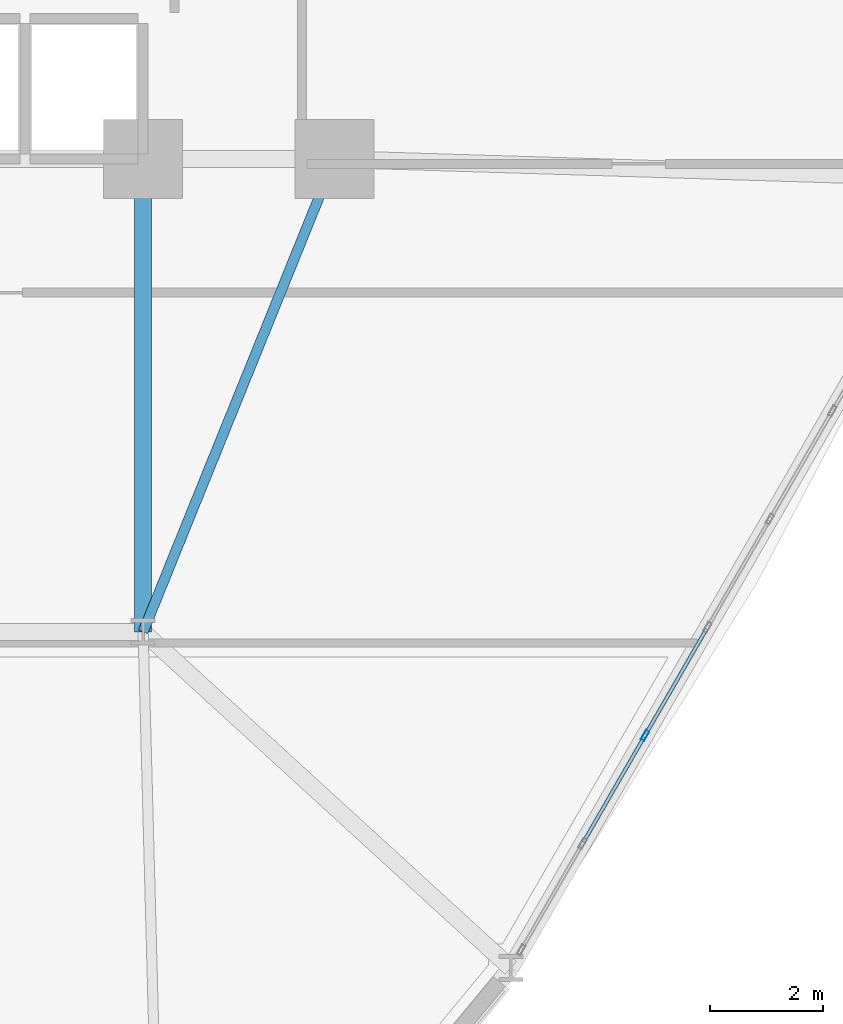
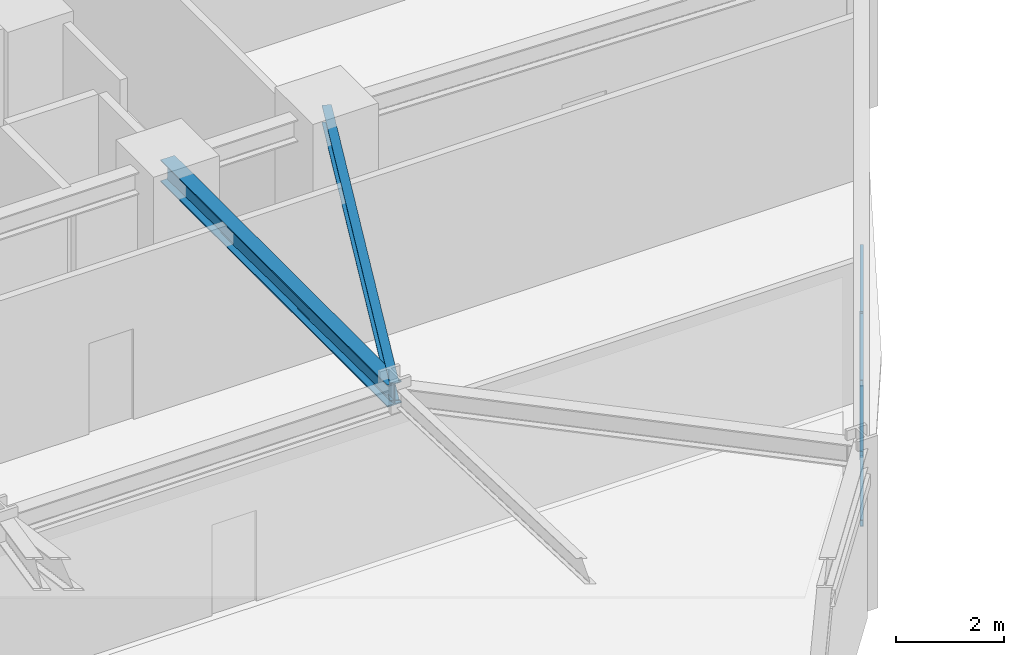
# One storey, part 7 of 23: 5 members, 2 beams, 1 element without a shape of its own.
"""IFC4 building model written with IfcOpenShell, lengths in metres."""

from ifc_helpers import new_model, si_unit, derived_unit, direction, frame, origin, origin_2d, place, context, subcontext, project, spatial, hollow_rectangle, i_section, extrude, source, transform, mapped, material, layer, layer_set, material_profile, profile_set, type_object, element, aggregate, save


model = new_model("IFC4")

# Units and contexts
model_context = context("Model", 3, precision=1e-05, world=origin(), true_north=direction((0.0, 1.0)))
body_context = subcontext(model_context, "Body", "Model", "MODEL_VIEW")
ifc_project = project(units=[si_unit("LENGTHUNIT", "METRE"), si_unit("AREAUNIT", "SQUARE_METRE"), si_unit("VOLUMEUNIT", "CUBIC_METRE"), si_unit("PLANEANGLEUNIT", "RADIAN"), si_unit("MASSUNIT", "GRAM", prefix="KILO"), derived_unit("THERMALTRANSMITTANCEUNIT", [(si_unit("POWERUNIT", "WATT"), 1), (si_unit("LENGTHUNIT", "METRE"), -2), (si_unit("THERMODYNAMICTEMPERATUREUNIT", "KELVIN"), -1)])], contexts=[model_context])

# Site, building, storey
site_placement = place(None, origin())
site = spatial("IfcSite", under=ifc_project, at=site_placement, CompositionType="ELEMENT")
building_placement = place(site_placement, origin())
building = spatial("IfcBuilding", under=site, at=building_placement, Name="Korsvarv Bourse and Concert Hall", CompositionType="ELEMENT")
storey_placement = place(building_placement, frame((0.0, 0.0, 24.0)))
storey = spatial("IfcBuildingStorey", under=building, at=storey_placement, Name="L05", CompositionType="ELEMENT", Elevation=24.0)

# Beams
ifc_material_1 = material(Name="Steel S355", Category="steel")
ifc_material_profile_1 = material_profile(ifc_material_1, i_section(OverallWidth=0.300048828125, OverallDepth=0.5, WebThickness=0.014404296875, FlangeThickness=0.028076171875, FilletRadius=0.02392578125, at=origin_2d()), Name="HEB 500")
ifc_profile_set_1 = profile_set([ifc_material_profile_1], Name="Steel S355")
beam_type_1 = type_object("IfcBeamType", Name="BM-HEB500", PredefinedType="BEAM", material=ifc_profile_set_1)
shared_shape_1 = source(origin(), body_context, "Body", "SweptSolid", [
    extrude(i_section(OverallWidth=0.300048828125, OverallDepth=0.5, WebThickness=0.014404296875, FlangeThickness=0.028076171875, FilletRadius=0.02392578125, at=origin_2d()), origin(), (0.0, 0.0, 1.0), 8.39990234375),
])
beam_1_placement = place(storey_placement, frame((44.39990234375, 24.0, 3.429931640625), z_axis=(0.0, 1.0, 0.0), x_axis=(-1.0, 0.0, 0.0)))
element("IfcBeam", 1, at=beam_1_placement, inside=storey, type_object=beam_type_1, Name="L05 beam B-07", PredefinedType="BEAM", context=body_context, shape_type="MappedRepresentation", body=[
    mapped(shared_shape_1, transform((0.0, 0.0, 0.0), scale=1.0)),
])
ifc_material_profile_2 = material_profile(ifc_material_1, i_section(OverallWidth=0.179931640625, OverallDepth=0.39990234375, WebThickness=0.008544921875, FlangeThickness=0.013427734375, FilletRadius=0.02099609375, at=origin_2d()), Name="IPE 400")
ifc_profile_set_2 = profile_set([ifc_material_profile_2], Name="Steel S355")
beam_type_2 = type_object("IfcBeamType", Name="BM-IPE400", PredefinedType="JOIST", material=ifc_profile_set_2)
shared_shape_2 = source(origin(), body_context, "Body", "SweptSolid", [
    extrude(i_section(OverallWidth=0.179931640625, OverallDepth=0.39990234375, WebThickness=0.008544921875, FlangeThickness=0.013427734375, FilletRadius=0.02099609375, at=origin_2d()), origin(), (0.0, 0.0, 1.0), 9.06201171875),
])
beam_2_placement = place(storey_placement, frame((47.800048828125, 32.39990234375, 3.47998046875), z_axis=(-0.375210394783, -0.926939674222, 0.0), x_axis=(0.926939674222, -0.375210394783, 0.0)))
element("IfcBeam", 2, at=beam_2_placement, inside=storey, type_object=beam_type_2, Name="L05 beam J-05", PredefinedType="JOIST", context=body_context, shape_type="MappedRepresentation", body=[
    mapped(shared_shape_2, transform((0.0, 0.0, 0.0), scale=1.0)),
])

# Curtain wall, members
ifc_material_2 = material(Name="Anodised aluminium and triple low-E glazing", Category="glass")
ifc_layer = layer(ifc_material_2, 0.219970703125)
ifc_layer_set = layer_set([ifc_layer], Name="Anodised aluminium and triple low-E glazing")
curtain_wall_type = type_object("IfcCurtainWallType", Name="CW-SYS-1", PredefinedType="NOTDEFINED", material=ifc_layer_set)
curtain_wall_placement = place(storey_placement, origin())
curtain_wall = element("IfcCurtainWall", 3, at=curtain_wall_placement, inside=storey, type_object=curtain_wall_type, Name="L05 CW1 curtain wall CW-L05-F11", PredefinedType="NOTDEFINED")
ifc_material_3 = material(Name="Extruded aluminium EN AW-6063 T66", Category="aluminium")
ifc_material_profile_3 = material_profile(ifc_material_3, hollow_rectangle(XDim=0.070068359375, YDim=0.18994140625, WallThickness=0.0048828125, at=origin_2d()), Name="ALU-M 70x190")
ifc_profile_set_3 = profile_set([ifc_material_profile_3], Name="Extruded aluminium EN AW-6063 T66")
member_type_1 = type_object("IfcMemberType", Name="CWM-190", PredefinedType="MULLION", material=ifc_profile_set_3)
shared_shape_3 = source(origin(), body_context, "Body", "SweptSolid", [
    extrude(hollow_rectangle(XDim=0.070068359375, YDim=0.18994140625, WallThickness=0.0048828125, at=origin_2d()), origin(), (0.0, 0.0, 1.0), 3.22998046875),
])
member_1_placement = place(storey_placement, frame((53.316650390625, 22.158935546875, 0.0), z_axis=(0.0, 0.0, 1.0), x_axis=(-0.866028517121, 0.499994607504, 0.0)))
member_1 = element("IfcMember", 4, at=member_1_placement, type_object=member_type_1, Name="CW1 mullion 3", PredefinedType="MULLION", context=body_context, shape_type="MappedRepresentation", body=[
    mapped(shared_shape_3, transform((0.0, 0.0, 0.0), scale=1.0)),
])
ifc_material_profile_4 = material_profile(ifc_material_3, hollow_rectangle(XDim=0.06494140625, YDim=0.139892578125, WallThickness=0.00390625, at=origin_2d()), Name="ALU-T 65x140")
ifc_profile_set_4 = profile_set([ifc_material_profile_4], Name="Extruded aluminium EN AW-6063 T66")
member_type_2 = type_object("IfcMemberType", Name="CWT-140", PredefinedType="USERDEFINED", material=ifc_profile_set_4)
shared_shape_4 = source(origin(), body_context, "Body", "SweptSolid", [
    extrude(hollow_rectangle(XDim=0.06494140625, YDim=0.139892578125, WallThickness=0.00390625, at=origin_2d()), origin(), (0.0, 0.0, 1.0), 2.148681640625),
])
member_2_placement = place(storey_placement, frame((52.224609375, 20.267822265625, 0.032470703125), z_axis=(0.500037174102, 0.866003940243, 0.0), x_axis=(-0.866003940243, 0.500037174102, 0.0)))
member_2 = element("IfcMember", 5, at=member_2_placement, type_object=member_type_2, Name="CW1 transom 2.1", ObjectType="TRANSOM", PredefinedType="USERDEFINED", context=body_context, shape_type="MappedRepresentation", body=[
    mapped(shared_shape_4, transform((0.0, 0.0, 0.0), scale=1.0)),
])
member_3_placement = place(storey_placement, frame((52.224609375, 20.267822265625, 3.197509765625), z_axis=(0.500037174102, 0.866003940243, 0.0), x_axis=(-0.866003940243, 0.500037174102, 0.0)))
member_3 = element("IfcMember", 6, at=member_3_placement, type_object=member_type_2, Name="CW1 transom 2.2", ObjectType="TRANSOM", PredefinedType="USERDEFINED", context=body_context, shape_type="MappedRepresentation", body=[
    mapped(shared_shape_4, transform((0.0, 0.0, 0.0), scale=1.0)),
])
member_4_placement = place(storey_placement, frame((53.334228515625, 22.189453125, 0.032470703125), z_axis=(0.500037174102, 0.866003940243, 0.0), x_axis=(-0.866003940243, 0.500037174102, 0.0)))
member_4 = element("IfcMember", 7, at=member_4_placement, type_object=member_type_2, Name="CW1 transom 3.1", ObjectType="TRANSOM", PredefinedType="USERDEFINED", context=body_context, shape_type="MappedRepresentation", body=[
    mapped(shared_shape_4, transform((0.0, 0.0, 0.0), scale=1.0)),
])
member_5_placement = place(storey_placement, frame((53.334228515625, 22.189453125, 3.197509765625), z_axis=(0.500037174102, 0.866003940243, 0.0), x_axis=(-0.866003940243, 0.500037174102, 0.0)))
member_5 = element("IfcMember", 8, at=member_5_placement, type_object=member_type_2, Name="CW1 transom 3.2", ObjectType="TRANSOM", PredefinedType="USERDEFINED", context=body_context, shape_type="MappedRepresentation", body=[
    mapped(shared_shape_4, transform((0.0, 0.0, 0.0), scale=1.0)),
])
aggregate(curtain_wall, [member_1, member_2, member_3, member_4, member_5])

save(model, "model.ifc")
